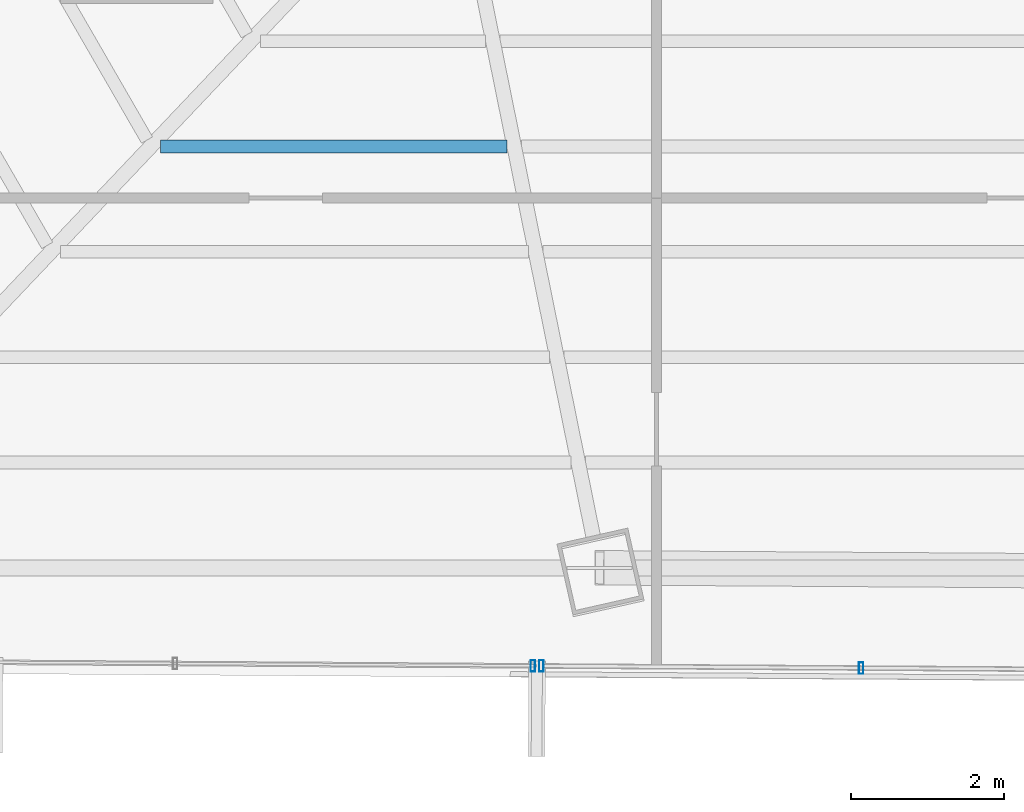
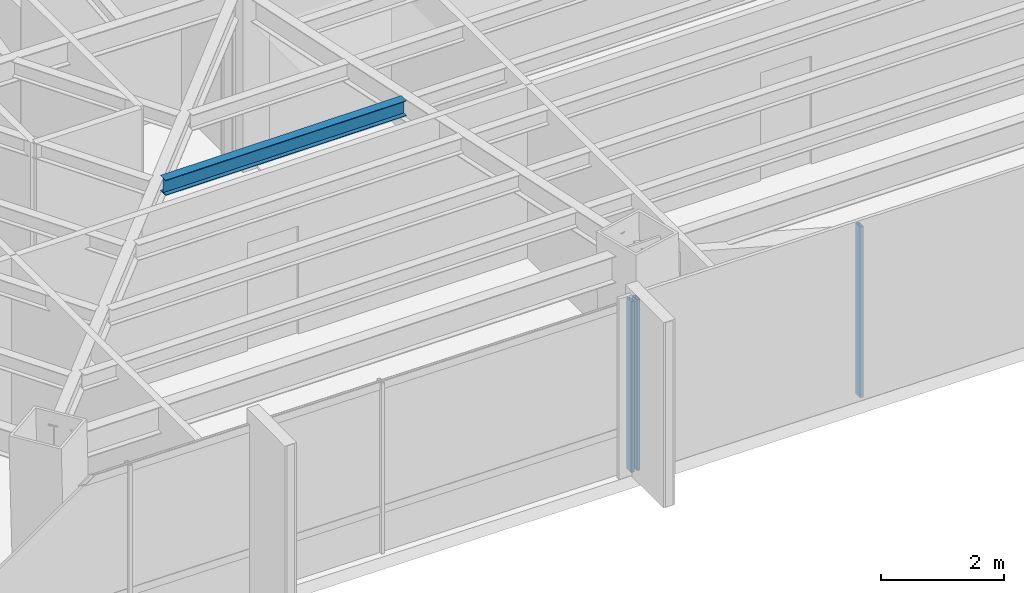
# One storey, part 8 of 41: 3 members, 1 beam, 2 elements without a shape of their own.
"""IFC4 building model written with IfcOpenShell, lengths in metres."""

import ifcopenshell
import ifcopenshell.guid

model = None  # the IFC model being written
_history = None  # IfcOwnerHistory: only IFC2X3 demands one
_inside = {}  # id of a spatial element -> (the spatial element, [elements in it])
_under = {}  # id of a project, library or spatial element -> (it, [spatial elements below it])
_declared = {}  # id of a project -> (the project, [libraries it declares])
_typed = {}  # id of a type object -> (the type object, [elements of that type])
_made_of = {}  # id of a material, layer set ... -> (it, [elements and type objects made of it])


def new_model(schema):
    """Start an empty IFC model of exactly this schema.

    Asked for "IFC4X3", IfcOpenShell would pick the latest addendum, in which some entities
    have other attributes; the version numbers below select the first issue.
    IFC2X3 requires an IfcOwnerHistory on every rooted entity: one is made here for all.
    """
    global model, _history
    if schema == "IFC4X3":
        model = ifcopenshell.file(schema_version=(4, 3, 0, 0))
    else:
        model = ifcopenshell.file(schema=schema)
    _inside.clear()
    _under.clear()
    _declared.clear()
    _typed.clear()
    _made_of.clear()
    _history = None
    if model.schema == "IFC2X3":
        org = make("IfcOrganization", Name="unknown")
        user = make(
            "IfcPersonAndOrganization",
            ThePerson=make("IfcPerson", FamilyName="unknown"),
            TheOrganization=org,
        )
        app = make(
            "IfcApplication",
            ApplicationDeveloper=org,
            Version="unknown",
            ApplicationFullName="unknown",
            ApplicationIdentifier="unknown",
        )
        _history = make(
            "IfcOwnerHistory",
            OwningUser=user,
            OwningApplication=app,
            ChangeAction="ADDED",
            CreationDate=0,
        )
    return model


def make(cls, **values):
    """One entity of the class cls with the attributes given. An attribute that is None is left unset."""
    return model.create_entity(
        cls, **{name: value for name, value in values.items() if value is not None}
    )


def rooted(cls, **values):
    """An entity with a GlobalId (a new one), such as an element, a storey or a relation."""
    return make(cls, GlobalId=ifcopenshell.guid.new(), OwnerHistory=_history, **values)


def si_unit(unit_type, name, prefix=None):
    """IfcSIUnit, for example si_unit("LENGTHUNIT", "METRE", prefix="MILLI")."""
    return make("IfcSIUnit", UnitType=unit_type, Prefix=prefix, Name=name)


def assignment(units):
    """IfcUnitAssignment: the units of a project."""
    return None if units is None else make("IfcUnitAssignment", Units=units)


def point(xyz):
    """IfcCartesianPoint."""
    return None if xyz is None else make("IfcCartesianPoint", Coordinates=xyz)


def direction(xyz):
    """IfcDirection."""
    return None if xyz is None else make("IfcDirection", DirectionRatios=xyz)


def frame(location, z_axis=None, x_axis=None):
    """IfcAxis2Placement3D, a coordinate frame: its origin and axes. An axis left out is left unset."""
    return make(
        "IfcAxis2Placement3D",
        Location=point(location),
        Axis=direction(z_axis),
        RefDirection=direction(x_axis),
    )


def frame_2d(location, x_axis=None):
    """IfcAxis2Placement2D, a coordinate frame in the plane: its origin and x axis."""
    return make(
        "IfcAxis2Placement2D", Location=point(location), RefDirection=direction(x_axis)
    )


def origin():
    """The frame at (0, 0, 0) with its axes left unset."""
    return frame((0.0, 0.0, 0.0))


def origin_2d():
    """The frame at (0, 0) in the plane with its x axis left unset."""
    return frame_2d((0.0, 0.0))


def place(relative_to, where):
    """IfcLocalPlacement: puts the frame where relative to a parent placement (None: the world)."""
    return make(
        "IfcLocalPlacement", PlacementRelTo=relative_to, RelativePlacement=where
    )


def context(
    kind, dimensions, precision=None, world=None, true_north=None, identifier=None
):
    """IfcGeometricRepresentationContext, for example the 3D "Model" context."""
    return make(
        "IfcGeometricRepresentationContext",
        ContextIdentifier=identifier,
        ContextType=kind,
        CoordinateSpaceDimension=dimensions,
        Precision=precision,
        WorldCoordinateSystem=world,
        TrueNorth=true_north,
    )


def subcontext(parent, identifier, kind, view, scale=None):
    """IfcGeometricRepresentationSubContext, for example "Body" below "Model"."""
    return make(
        "IfcGeometricRepresentationSubContext",
        ContextIdentifier=identifier,
        ContextType=kind,
        ParentContext=parent,
        TargetScale=scale,
        TargetView=view,
    )


def project(units=None, contexts=None):
    """IfcProject with its units and contexts."""
    return rooted(
        "IfcProject",
        Name="project",
        RepresentationContexts=contexts,
        UnitsInContext=assignment(units),
    )


def spatial(cls, under=None, at=None, **own):
    """A site, building, storey or space (cls), placed at a placement, below another one or the project."""
    s = rooted(cls, ObjectPlacement=at, **own)
    if under is not None:
        _under.setdefault(under.id(), (under, []))[1].append(s)
    return s


def profile(cls, at=None, kind="AREA", **sizes):
    """A parametric profile (cls). Its sizes go by their IFC names, for example OverallWidth=200.0."""
    return make(cls, ProfileType=kind, Position=at, **sizes)


def hollow_rectangle(**sizes):
    """IfcRectangleHollowProfileDef."""
    return profile("IfcRectangleHollowProfileDef", **sizes)


def i_section(**sizes):
    """IfcIShapeProfileDef."""
    return profile("IfcIShapeProfileDef", **sizes)


def extrude(swept, where, along, depth):
    """IfcExtrudedAreaSolid: the profile swept, set in the frame where, extruded along a direction by depth."""
    return make(
        "IfcExtrudedAreaSolid",
        SweptArea=swept,
        Position=where,
        ExtrudedDirection=direction(along),
        Depth=depth,
    )


def shape(context_of_items, identifier, shape_type, items):
    """IfcShapeRepresentation: the items that make up one representation, for example the "Body"."""
    return make(
        "IfcShapeRepresentation",
        ContextOfItems=context_of_items,
        RepresentationIdentifier=identifier,
        RepresentationType=shape_type,
        Items=items,
    )


def source(mapping_origin, context_of_items, identifier, shape_type, items):
    """IfcRepresentationMap: a shape defined once, which mapped items show again and again."""
    return make(
        "IfcRepresentationMap",
        MappingOrigin=mapping_origin,
        MappedRepresentation=shape(context_of_items, identifier, shape_type, items),
    )


def transform(
    local_origin,
    x_axis=None,
    y_axis=None,
    z_axis=None,
    scale=None,
    scale2=None,
    scale3=None,
    uniform=True,
):
    """IfcCartesianTransformationOperator3D, or its non-uniform kind. x_axis, y_axis, z_axis: its Axis1, 2, 3."""
    if uniform:
        return make(
            "IfcCartesianTransformationOperator3D",
            Axis1=direction(x_axis),
            Axis2=direction(y_axis),
            LocalOrigin=point(local_origin),
            Scale=scale,
            Axis3=direction(z_axis),
        )
    return make(
        "IfcCartesianTransformationOperator3DnonUniform",
        Axis1=direction(x_axis),
        Axis2=direction(y_axis),
        LocalOrigin=point(local_origin),
        Scale=scale,
        Axis3=direction(z_axis),
        Scale2=scale2,
        Scale3=scale3,
    )


def mapped(mapping_source, mapping_target):
    """IfcMappedItem: shows the shape of a source again, moved by a transform."""
    return make(
        "IfcMappedItem", MappingSource=mapping_source, MappingTarget=mapping_target
    )


def material(Name=None, Category=None):
    """IfcMaterial."""
    return make("IfcMaterial", Name=Name, Category=Category)


def material_profile(
    of_material, cross_section, Name=None, Category=None, Priority=None
):
    """IfcMaterialProfile: a cross section and its material."""
    return make(
        "IfcMaterialProfile",
        Name=Name,
        Material=of_material,
        Profile=cross_section,
        Priority=Priority,
        Category=Category,
    )


def profile_set(profiles, Name=None, composite=None):
    """IfcMaterialProfileSet."""
    return make(
        "IfcMaterialProfileSet",
        Name=Name,
        MaterialProfiles=profiles,
        CompositeProfile=composite,
    )


def made_of(thing, what):
    """Note that an element or type object is made of a material, layer set ...; save() writes the relation."""
    if what is not None:
        _made_of.setdefault(what.id(), (what, []))[1].append(thing)
    return thing


def type_object(cls, material=None, **own):
    """A type object (cls), such as IfcWallType, which elements share."""
    return made_of(rooted(cls, **own), material)


def type_shapes(of_type, sources):
    """Give a type object the sources (RepresentationMaps) that its elements show as mapped items."""
    of_type.RepresentationMaps = sources


def element(
    cls,
    number,
    at=None,
    inside=None,
    cuts=None,
    type_object=None,
    material=None,
    context=None,
    identifier="Body",
    shape_type=None,
    held_by="IfcProductDefinitionShape",
    body=None,
    shapes=None,
    **own,
):
    """One element of the class cls, such as IfcWall. Its Tag is "e" and its number.

    at: its placement. inside: the storey or other place that contains it. cuts: it is an
    opening in that element (IfcRelVoidsElement). A single representation is given by context,
    identifier, shape_type and body (its items); several are given by shapes. held_by: the class
    of the entity that holds the representations. save() writes the other relations.
    """
    e = rooted(cls, Tag="e%d" % number, ObjectPlacement=at, **own)
    if body is not None:
        shapes = [shape(context, identifier, shape_type, body)]
    if shapes is not None:
        e.Representation = make(held_by, Representations=shapes)
    if inside is not None:
        _inside.setdefault(inside.id(), (inside, []))[1].append(e)
    if cuts is not None:
        rooted(
            "IfcRelVoidsElement", RelatingBuildingElement=cuts, RelatedOpeningElement=e
        )
    if type_object is not None:
        _typed.setdefault(type_object.id(), (type_object, []))[1].append(e)
    return made_of(e, material)


def aggregate(whole, parts):
    """IfcRelAggregates: a whole, such as a stair, and the parts it consists of."""
    return rooted("IfcRelAggregates", RelatingObject=whole, RelatedObjects=parts)


def save(model, path):
    """Write the relations noted so far, then the file.

    IfcRelAggregates (storeys below a building ...), IfcRelContainedInSpatialStructure (elements
    in a storey), IfcRelDefinesByType, IfcRelAssociatesMaterial and IfcRelDeclares: one each for
    every whole, place, type object, material and project.
    """
    for whole, parts in _under.values():
        aggregate(whole, parts)
    for where, things in _inside.values():
        rooted(
            "IfcRelContainedInSpatialStructure",
            RelatedElements=things,
            RelatingStructure=where,
        )
    for kind, things in _typed.values():
        rooted("IfcRelDefinesByType", RelatedObjects=things, RelatingType=kind)
    for what, things in _made_of.values():
        rooted("IfcRelAssociatesMaterial", RelatedObjects=things, RelatingMaterial=what)
    for by, libraries in _declared.values():
        rooted("IfcRelDeclares", RelatingContext=by, RelatedDefinitions=libraries)
    model.write(path)


model = new_model("IFC4")

# Units and contexts
model_context = context("Model", 3, precision=1e-05, world=origin(), true_north=direction((0.0, 1.0)))
body_context = subcontext(model_context, "Body", "Model", "MODEL_VIEW")
ifc_project = project(units=[si_unit("LENGTHUNIT", "METRE"), si_unit("AREAUNIT", "SQUARE_METRE"), si_unit("VOLUMEUNIT", "CUBIC_METRE"), si_unit("PLANEANGLEUNIT", "RADIAN"), si_unit("MASSUNIT", "GRAM", prefix="KILO")], contexts=[model_context])

# Site, building, storey
site_placement = place(None, origin())
site = spatial("IfcSite", under=ifc_project, at=site_placement, CompositionType="ELEMENT")
building_placement = place(site_placement, origin())
building = spatial("IfcBuilding", under=site, at=building_placement, Name="Caelisora Broadcast Tower", CompositionType="ELEMENT")
storey_placement = place(building_placement, frame((0.0, 0.0, 173.10009765625)))
storey = spatial("IfcBuildingStorey", under=building, at=storey_placement, Name="L45", CompositionType="ELEMENT", Elevation=173.10009765625)

# Beam
ifc_material_1 = material(Name="Steel Grade 350 (AS/NZS 3679.1)", Category="steel")
ifc_material_profile_1 = material_profile(ifc_material_1, i_section(OverallWidth=0.166015625, OverallDepth=0.30712890625, WebThickness=0.006591796875, FlangeThickness=0.01171875, at=origin_2d()), Name="Steel Grade 350 (AS/NZS 3679.1)")
ifc_profile_set_1 = profile_set([ifc_material_profile_1], Name="Steel Grade 350 (AS/NZS 3679.1)")
beam_type = type_object("IfcBeamType", Name="SB03", PredefinedType="JOIST", material=ifc_profile_set_1)
shared_shape_1 = source(origin(), body_context, "Body", "SweptSolid", [
    extrude(i_section(OverallWidth=0.166015625, OverallDepth=0.30712890625, WebThickness=0.006591796875, FlangeThickness=0.01171875, at=origin_2d()), origin(), (0.0, 0.0, 1.0), 4.53173828125),
])
type_shapes(beam_type, [shared_shape_1])
beam_placement = place(storey_placement, frame((26.7109375, 13.26611328125, 3.246337890625), z_axis=(1.0, 0.0, 0.0), x_axis=(0.0, 1.0, 0.0)))
element("IfcBeam", 1, at=beam_placement, inside=storey, type_object=beam_type, Name="L45 beam SB03", PredefinedType="JOIST", context=body_context, shape_type="MappedRepresentation", body=[
    mapped(shared_shape_1, transform((0.0, 0.0, 0.0), scale=1.0)),
])

# Curtain wall, members
ifc_material_2 = material(Name="Unitised Aluminium Insulated Shadow-Box Spandrel Curtain Wall", Category="aluminium")
curtain_wall_type_1 = type_object("IfcCurtainWallType", Name="CW-SP2", PredefinedType="NOTDEFINED", material=ifc_material_2)
curtain_wall_1_placement = place(storey_placement, origin())
curtain_wall_1 = element("IfcCurtainWall", 2, at=curtain_wall_1_placement, inside=storey, type_object=curtain_wall_type_1, Name="L45 curtain wall CW-SP2", PredefinedType="NOTDEFINED")
ifc_material_3 = material(Name="Aluminium 6063-T6 Anodised Terracotta Bronze", Category="aluminium")
ifc_material_profile_2 = material_profile(ifc_material_3, hollow_rectangle(XDim=0.06005859375, YDim=0.14990234375, WallThickness=0.00341796875, at=origin_2d()), Name="Aluminium 6063-T6 Anodised Terracotta Bronze")
ifc_profile_set_2 = profile_set([ifc_material_profile_2], Name="Aluminium 6063-T6 Anodised Terracotta Bronze")
member_type = type_object("IfcMemberType", Name="CWM-03", PredefinedType="MULLION", material=ifc_profile_set_2)
shared_shape_2 = source(origin(), body_context, "Body", "SweptSolid", [
    extrude(hollow_rectangle(XDim=0.06005859375, YDim=0.14990234375, WallThickness=0.00341796875, at=origin_2d()), origin(), (0.0, 0.0, 1.0), 3.39990234375),
])
type_shapes(member_type, [shared_shape_2])
member_1_placement = place(storey_placement, frame((35.875, 6.443115234375, 0.0), z_axis=(0.0, 0.0, 1.0), x_axis=(1.0, 0.0, 0.0)))
member_1 = element("IfcMember", 3, at=member_1_placement, type_object=member_type, Name="L45-CW-B06 mullion #2", PredefinedType="MULLION", context=body_context, shape_type="MappedRepresentation", body=[
    mapped(shared_shape_2, transform((0.0, 0.0, 0.0), scale=1.0)),
])
member_2_placement = place(storey_placement, frame((31.69140625, 6.470703125, 0.0), z_axis=(0.0, 0.0, 1.0), x_axis=(1.0, 0.0, 0.0)))
member_2 = element("IfcMember", 4, at=member_2_placement, type_object=member_type, Name="L45-CW-B06 mullion #3", PredefinedType="MULLION", context=body_context, shape_type="MappedRepresentation", body=[
    mapped(shared_shape_2, transform((0.0, 0.0, 0.0), scale=1.0)),
])
aggregate(curtain_wall_1, [member_1, member_2])

# Curtain wall, member
ifc_material_4 = material(Name="Unitised Aluminium and Low-E Glass Curtain Wall", Category="glass")
curtain_wall_type_2 = type_object("IfcCurtainWallType", Name="CW-Z3", PredefinedType="NOTDEFINED", material=ifc_material_4)
curtain_wall_2_placement = place(storey_placement, origin())
curtain_wall_2 = element("IfcCurtainWall", 5, at=curtain_wall_2_placement, inside=storey, type_object=curtain_wall_type_2, Name="L45 curtain wall CW-Z3", PredefinedType="NOTDEFINED")
member_3_placement = place(storey_placement, frame((31.581298828125, 6.471435546875, 0.0), z_axis=(0.0, 0.0, 1.0), x_axis=(1.0, 0.0, 0.0)))
member_3 = element("IfcMember", 6, at=member_3_placement, type_object=member_type, Name="L45-CW-B07 mullion #0", PredefinedType="MULLION", context=body_context, shape_type="MappedRepresentation", body=[
    mapped(shared_shape_2, transform((0.0, 0.0, 0.0), scale=1.0)),
])
aggregate(curtain_wall_2, [member_3])

save(model, "model.ifc")
